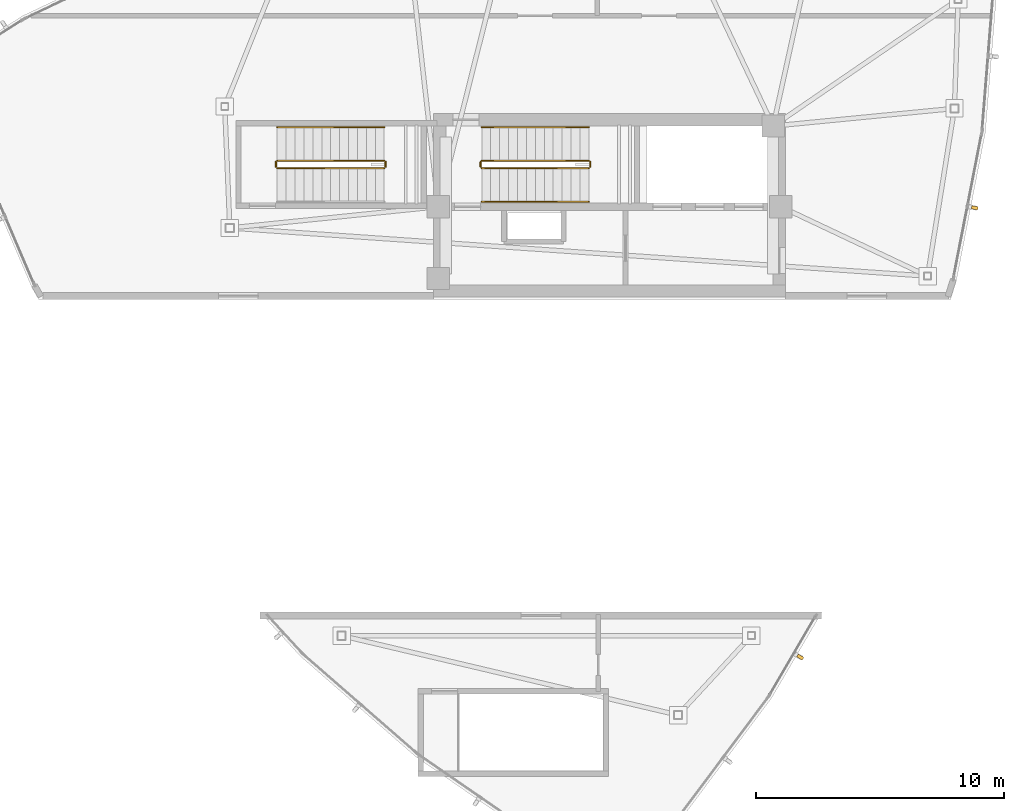
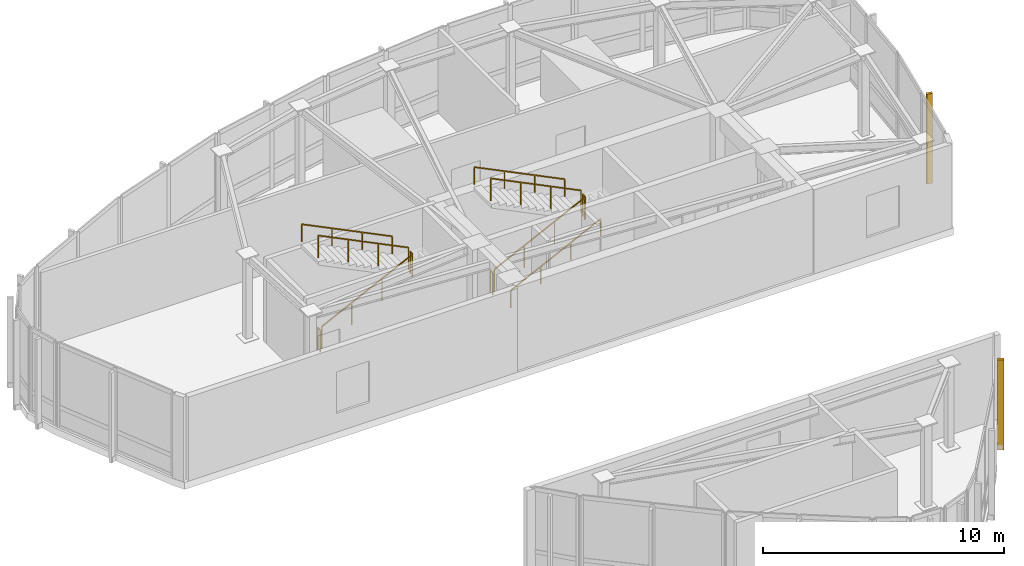
# One storey, part 13 of 15: 11 railings, 2 shading devices.
"""IFC4 building model written with IfcOpenShell, lengths in metres."""

from ifc_helpers import new_model, si_unit, direction, frame, origin, origin_2d, place, context, subcontext, project, spatial, rectangle, extrude, source, transform, mapped, material, type_object, type_shapes, element, save


model = new_model("IFC4")

# Units and contexts
model_context = context("Model", 3, precision=1e-05, world=origin(), true_north=direction((0.0, 1.0)))
body_context = subcontext(model_context, "Body", "Model", "MODEL_VIEW")
ifc_project = project(units=[si_unit("LENGTHUNIT", "METRE"), si_unit("AREAUNIT", "SQUARE_METRE"), si_unit("VOLUMEUNIT", "CUBIC_METRE"), si_unit("PLANEANGLEUNIT", "RADIAN"), si_unit("MASSUNIT", "GRAM", prefix="KILO")], contexts=[model_context])

# Site, building, storey
site_placement = place(None, origin())
site = spatial("IfcSite", under=ifc_project, at=site_placement, CompositionType="ELEMENT")
building_placement = place(site_placement, origin())
building = spatial("IfcBuilding", under=site, at=building_placement, Name="Tavelor Broadcast Tower", CompositionType="ELEMENT")
storey_placement = place(building_placement, frame((0.0, 0.0, 341.300048828125)))
storey = spatial("IfcBuildingStorey", under=building, at=storey_placement, Name="L81", CompositionType="ELEMENT", Elevation=341.300048828125)

# Railings
ifc_material_1 = material(Name="Steel S355", Category="steel")
railing_type_1 = type_object("IfcRailingType", Name="Continuous Brushed Stainless Handrail 900 mm", PredefinedType="HANDRAIL", material=ifc_material_1)
railing_1_placement = place(storey_placement, frame((44.85009765625, 48.14990234375, 0.1767578125)))
element("IfcRailing", 1, at=railing_1_placement, inside=storey, type_object=railing_type_1, Name="L81 ST1 stair handrail 1", PredefinedType="HANDRAIL", context=body_context, shape_type="SweptSolid", body=[
    extrude(rectangle(XDim=0.048095703125, YDim=0.048095703125, at=origin_2d()), frame((0.0, 0.0, 0.8759765625), z_axis=(0.897449715955, 0.0, 0.441116772898), x_axis=(0.0, 1.0, 0.0)), (0.0, 0.0, 1.0), 4.8134765625),
    extrude(rectangle(XDim=0.0419921875, YDim=0.0419921875, at=origin_2d()), origin(), (0.0, 0.0, 1.0), 0.851806640625),
    extrude(rectangle(XDim=0.0419921875, YDim=0.0419921875, at=origin_2d()), frame((1.43994140625, 0.0, 0.707763671875)), (0.0, 0.0, 1.0), 0.851806640625),
    extrude(rectangle(XDim=0.0419921875, YDim=0.0419921875, at=origin_2d()), frame((2.8798828125, 0.0, 1.41552734375)), (0.0, 0.0, 1.0), 0.851806640625),
    extrude(rectangle(XDim=0.0419921875, YDim=0.0419921875, at=origin_2d()), frame((4.31982421875, 0.0, 2.123291015625)), (0.0, 0.0, 1.0), 0.851806640625),
])
for number, where, name in (
    (2, (49.169921875, 51.14990234375, 2.476806640625), "L81 ST1 stair handrail 2"),
    (3, (40.919921875, 51.14990234375, 2.476806640625), "L81 ST5 stair handrail 2"),
):
    element("IfcRailing", number, at=place(storey_placement, frame(where)), inside=storey, type_object=railing_type_1, Name=name, PredefinedType="HANDRAIL", context=body_context, shape_type="SweptSolid", body=[
        extrude(rectangle(XDim=0.048095703125, YDim=0.048095703125, at=origin_2d()), frame((0.0, 0.0, 0.8759765625), z_axis=(-0.897469794739, 0.0, 0.441075920371), x_axis=(0.0, -1.0, 0.0)), (0.0, 0.0, 1.0), 4.813232421875),
        extrude(rectangle(XDim=0.0419921875, YDim=0.0419921875, at=origin_2d()), origin(), (0.0, 0.0, 1.0), 0.851806640625),
        extrude(rectangle(XDim=0.0419921875, YDim=0.0419921875, at=origin_2d()), frame((-1.43994140625, 0.0, 0.707763671875)), (0.0, 0.0, 1.0), 0.851806640625),
        extrude(rectangle(XDim=0.0419921875, YDim=0.0419921875, at=origin_2d()), frame((-2.8798828125, 0.0, 1.415283203125)), (0.0, 0.0, 1.0), 0.851806640625),
        extrude(rectangle(XDim=0.0419921875, YDim=0.0419921875, at=origin_2d()), frame((-4.31982421875, 0.0, 2.123046875)), (0.0, 0.0, 1.0), 0.851806640625),
    ])
railing_type_2 = type_object("IfcRailingType", Name="Stairwell Steel Safety Guardrail 1150 mm", PredefinedType="GUARDRAIL", material=ifc_material_1)
railing_2_placement = place(storey_placement, frame((44.85009765625, 49.5, 0.1767578125)))
element("IfcRailing", 4, at=railing_2_placement, inside=storey, type_object=railing_type_2, Name="L81 ST1 stair guard 1", PredefinedType="GUARDRAIL", context=body_context, shape_type="SweptSolid", body=[
    extrude(rectangle(XDim=0.048095703125, YDim=0.048095703125, at=origin_2d()), frame((0.0, 0.0, 1.1259765625), z_axis=(0.897449715955, 0.0, 0.441116772898), x_axis=(0.0, 1.0, 0.0)), (0.0, 0.0, 1.0), 4.8134765625),
    extrude(rectangle(XDim=0.0419921875, YDim=0.0419921875, at=origin_2d()), origin(), (0.0, 0.0, 1.0), 1.101806640625),
    extrude(rectangle(XDim=0.0419921875, YDim=0.0419921875, at=origin_2d()), frame((1.43994140625, 0.0, 0.707763671875)), (0.0, 0.0, 1.0), 1.101806640625),
    extrude(rectangle(XDim=0.0419921875, YDim=0.0419921875, at=origin_2d()), frame((2.8798828125, 0.0, 1.41552734375)), (0.0, 0.0, 1.0), 1.101806640625),
    extrude(rectangle(XDim=0.0419921875, YDim=0.0419921875, at=origin_2d()), frame((4.31982421875, 0.0, 2.123291015625)), (0.0, 0.0, 1.0), 1.101806640625),
])
railing_3_placement = place(storey_placement, frame((49.219970703125, 49.550048828125, 2.300048828125)))
element("IfcRailing", 5, at=railing_3_placement, inside=storey, type_object=railing_type_2, Name="L81 ST1 stair guard 2", PredefinedType="GUARDRAIL", context=body_context, shape_type="SweptSolid", body=[
    extrude(rectangle(XDim=0.048095703125, YDim=0.048095703125, at=origin_2d()), frame((0.0, 0.0, 1.1259765625), z_axis=(0.0, 1.0, 0.0), x_axis=(-1.0, 0.0, 0.0)), (0.0, 0.0, 1.0), 0.199951171875),
    extrude(rectangle(XDim=0.0419921875, YDim=0.0419921875, at=origin_2d()), origin(), (0.0, 0.0, 1.0), 1.101806640625),
    extrude(rectangle(XDim=0.0419921875, YDim=0.0419921875, at=origin_2d()), frame((0.0, 0.199951171875, 0.0)), (0.0, 0.0, 1.0), 1.101806640625),
])
railing_4_placement = place(storey_placement, frame((49.169921875, 49.800048828125, 2.476806640625)))
element("IfcRailing", 6, at=railing_4_placement, inside=storey, type_object=railing_type_2, Name="L81 ST1 stair guard 3", PredefinedType="GUARDRAIL", context=body_context, shape_type="SweptSolid", body=[
    extrude(rectangle(XDim=0.048095703125, YDim=0.048095703125, at=origin_2d()), frame((0.0, 0.0, 1.1259765625), z_axis=(-0.897469794739, 0.0, 0.441075920371), x_axis=(0.0, -1.0, 0.0)), (0.0, 0.0, 1.0), 4.813232421875),
    extrude(rectangle(XDim=0.0419921875, YDim=0.0419921875, at=origin_2d()), origin(), (0.0, 0.0, 1.0), 1.101806640625),
    extrude(rectangle(XDim=0.0419921875, YDim=0.0419921875, at=origin_2d()), frame((-1.43994140625, 0.0, 0.707763671875)), (0.0, 0.0, 1.0), 1.101806640625),
    extrude(rectangle(XDim=0.0419921875, YDim=0.0419921875, at=origin_2d()), frame((-2.8798828125, 0.0, 1.415283203125)), (0.0, 0.0, 1.0), 1.101806640625),
    extrude(rectangle(XDim=0.0419921875, YDim=0.0419921875, at=origin_2d()), frame((-4.31982421875, 0.0, 2.123046875)), (0.0, 0.0, 1.0), 1.101806640625),
])
railing_5_placement = place(storey_placement, frame((44.800048828125, 49.550048828125, 0.0)))
element("IfcRailing", 7, at=railing_5_placement, inside=storey, type_object=railing_type_2, Name="L81 ST1 stair guard 4", PredefinedType="GUARDRAIL", context=body_context, shape_type="SweptSolid", body=[
    extrude(rectangle(XDim=0.048095703125, YDim=0.048095703125, at=origin_2d()), frame((0.0, 0.0, 1.1259765625), z_axis=(0.0, 1.0, 0.0), x_axis=(-1.0, 0.0, 0.0)), (0.0, 0.0, 1.0), 0.199951171875),
    extrude(rectangle(XDim=0.0419921875, YDim=0.0419921875, at=origin_2d()), origin(), (0.0, 0.0, 1.0), 1.101806640625),
    extrude(rectangle(XDim=0.0419921875, YDim=0.0419921875, at=origin_2d()), frame((0.0, 0.199951171875, 0.0)), (0.0, 0.0, 1.0), 1.101806640625),
])
railing_6_placement = place(storey_placement, frame((36.60009765625, 49.5, 0.1767578125)))
element("IfcRailing", 8, at=railing_6_placement, inside=storey, type_object=railing_type_2, Name="L81 ST5 stair guard 1", PredefinedType="GUARDRAIL", context=body_context, shape_type="SweptSolid", body=[
    extrude(rectangle(XDim=0.048095703125, YDim=0.048095703125, at=origin_2d()), frame((0.0, 0.0, 1.1259765625), z_axis=(0.897449715955, 0.0, 0.441116772898), x_axis=(0.0, 1.0, 0.0)), (0.0, 0.0, 1.0), 4.8134765625),
    extrude(rectangle(XDim=0.0419921875, YDim=0.0419921875, at=origin_2d()), origin(), (0.0, 0.0, 1.0), 1.101806640625),
    extrude(rectangle(XDim=0.0419921875, YDim=0.0419921875, at=origin_2d()), frame((1.43994140625, 0.0, 0.707763671875)), (0.0, 0.0, 1.0), 1.101806640625),
    extrude(rectangle(XDim=0.0419921875, YDim=0.0419921875, at=origin_2d()), frame((2.8798828125, 0.0, 1.41552734375)), (0.0, 0.0, 1.0), 1.101806640625),
    extrude(rectangle(XDim=0.0419921875, YDim=0.0419921875, at=origin_2d()), frame((4.31982421875, 0.0, 2.123291015625)), (0.0, 0.0, 1.0), 1.101806640625),
])
railing_7_placement = place(storey_placement, frame((40.969970703125, 49.550048828125, 2.300048828125)))
element("IfcRailing", 9, at=railing_7_placement, inside=storey, type_object=railing_type_2, Name="L81 ST5 stair guard 2", PredefinedType="GUARDRAIL", context=body_context, shape_type="SweptSolid", body=[
    extrude(rectangle(XDim=0.048095703125, YDim=0.048095703125, at=origin_2d()), frame((0.0, 0.0, 1.1259765625), z_axis=(0.0, 1.0, 0.0), x_axis=(-1.0, 0.0, 0.0)), (0.0, 0.0, 1.0), 0.199951171875),
    extrude(rectangle(XDim=0.0419921875, YDim=0.0419921875, at=origin_2d()), origin(), (0.0, 0.0, 1.0), 1.101806640625),
    extrude(rectangle(XDim=0.0419921875, YDim=0.0419921875, at=origin_2d()), frame((0.0, 0.199951171875, 0.0)), (0.0, 0.0, 1.0), 1.101806640625),
])
railing_8_placement = place(storey_placement, frame((40.919921875, 49.800048828125, 2.476806640625)))
element("IfcRailing", 10, at=railing_8_placement, inside=storey, type_object=railing_type_2, Name="L81 ST5 stair guard 3", PredefinedType="GUARDRAIL", context=body_context, shape_type="SweptSolid", body=[
    extrude(rectangle(XDim=0.048095703125, YDim=0.048095703125, at=origin_2d()), frame((0.0, 0.0, 1.1259765625), z_axis=(-0.897469794739, 0.0, 0.441075920371), x_axis=(0.0, -1.0, 0.0)), (0.0, 0.0, 1.0), 4.813232421875),
    extrude(rectangle(XDim=0.0419921875, YDim=0.0419921875, at=origin_2d()), origin(), (0.0, 0.0, 1.0), 1.101806640625),
    extrude(rectangle(XDim=0.0419921875, YDim=0.0419921875, at=origin_2d()), frame((-1.43994140625, 0.0, 0.707763671875)), (0.0, 0.0, 1.0), 1.101806640625),
    extrude(rectangle(XDim=0.0419921875, YDim=0.0419921875, at=origin_2d()), frame((-2.8798828125, 0.0, 1.415283203125)), (0.0, 0.0, 1.0), 1.101806640625),
    extrude(rectangle(XDim=0.0419921875, YDim=0.0419921875, at=origin_2d()), frame((-4.31982421875, 0.0, 2.123046875)), (0.0, 0.0, 1.0), 1.101806640625),
])
railing_9_placement = place(storey_placement, frame((36.550048828125, 49.550048828125, 0.0)))
element("IfcRailing", 11, at=railing_9_placement, inside=storey, type_object=railing_type_2, Name="L81 ST5 stair guard 4", PredefinedType="GUARDRAIL", context=body_context, shape_type="SweptSolid", body=[
    extrude(rectangle(XDim=0.048095703125, YDim=0.048095703125, at=origin_2d()), frame((0.0, 0.0, 1.1259765625), z_axis=(0.0, 1.0, 0.0), x_axis=(-1.0, 0.0, 0.0)), (0.0, 0.0, 1.0), 0.199951171875),
    extrude(rectangle(XDim=0.0419921875, YDim=0.0419921875, at=origin_2d()), origin(), (0.0, 0.0, 1.0), 1.101806640625),
    extrude(rectangle(XDim=0.0419921875, YDim=0.0419921875, at=origin_2d()), frame((0.0, 0.199951171875, 0.0)), (0.0, 0.0, 1.0), 1.101806640625),
])

# Shading devices
ifc_material_2 = material(Name="Kiln-Fired Glazed Terracotta", Category="masonry")
shading_device_type = type_object("IfcShadingDeviceType", Name="Extruded Terracotta Corner Baguette 130x260", PredefinedType="JALOUSIE", material=ifc_material_2)
shared_shape = source(origin(), body_context, "Body", "SweptSolid", [
    extrude(rectangle(XDim=0.1298828125, YDim=0.260009765625, at=origin_2d()), origin(), (0.0, 0.0, 1.0), 4.5400390625),
])
type_shapes(shading_device_type, [shared_shape])
for number, where, z_axis, x_axis, name in (
    (12, (64.7275390625, 47.901611328125, -0.31005859375), (0.0, 0.0, 1.0), (0.191665553932, 0.981460297432, 0.0), "L81 Terracotta Baguette Fin 797"),
    (13, (57.69140625, 29.78515625, -0.31005859375), (0.0, 0.0, 1.0), (0.505280886365, 0.862954938496, 0.0), "L81 Terracotta Baguette Fin 822"),
):
    element("IfcShadingDevice", number, at=place(storey_placement, frame(where, z_axis=z_axis, x_axis=x_axis)), inside=storey, type_object=shading_device_type, Name=name, PredefinedType="JALOUSIE", context=body_context, shape_type="MappedRepresentation", body=[
        mapped(shared_shape, transform((0.0, 0.0, 0.0), scale=1.0)),
    ])

save(model, "model.ifc")
